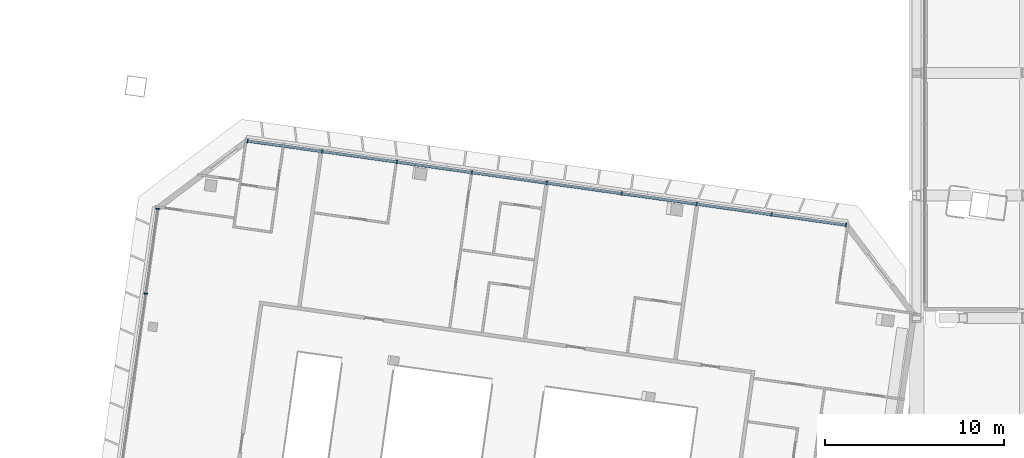
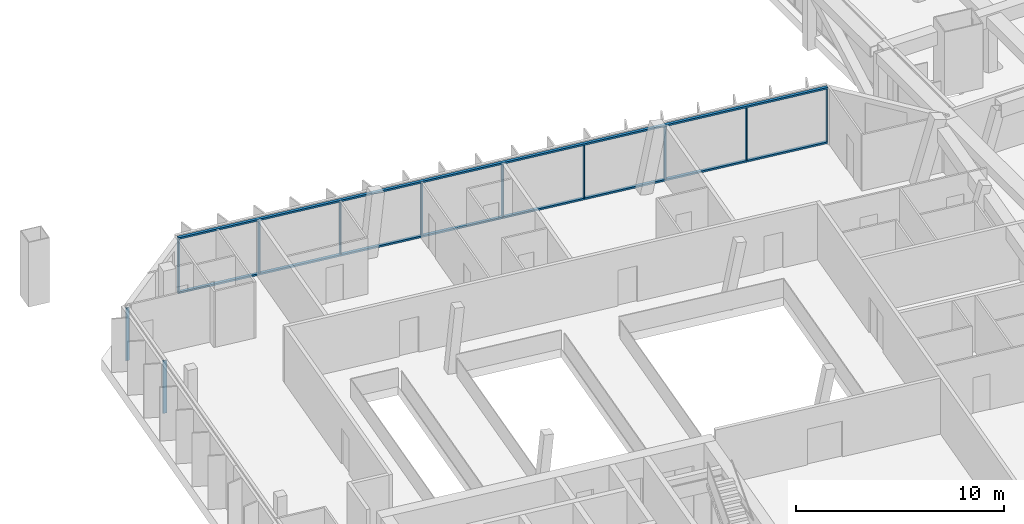
# One storey, part 5 of 25: 13 members, 2 elements without a shape of their own.
"""IFC4 building model written with IfcOpenShell, lengths in metres."""

from ifc_helpers import new_model, si_unit, direction, frame, origin, origin_2d, place, context, subcontext, project, spatial, rectangle, extrude, material, material_profile, profile_set, type_object, element, aggregate, save


model = new_model("IFC4")

# Units and contexts
model_context = context("Model", 3, precision=1e-05, world=origin(), true_north=direction((0.0, 1.0)))
body_context = subcontext(model_context, "Body", "Model", "MODEL_VIEW")
ifc_project = project(units=[si_unit("LENGTHUNIT", "METRE"), si_unit("AREAUNIT", "SQUARE_METRE"), si_unit("VOLUMEUNIT", "CUBIC_METRE"), si_unit("PLANEANGLEUNIT", "RADIAN"), si_unit("MASSUNIT", "GRAM", prefix="KILO")], contexts=[model_context])

# Site, building, storey
site_placement = place(None, origin())
site = spatial("IfcSite", under=ifc_project, at=site_placement, CompositionType="ELEMENT")
building_placement = place(site_placement, origin())
building = spatial("IfcBuilding", under=site, at=building_placement, Name="Mirante Cascada Hotel Towers", CompositionType="ELEMENT")
storey_placement = place(building_placement, frame((0.0, 0.0, 266.0)))
storey = spatial("IfcBuildingStorey", under=building, at=storey_placement, Name="L64", CompositionType="ELEMENT", Elevation=266.0)

# Curtain wall, members
ifc_material_1 = material(Name="Aluminium mullion and transom frame with clear laminated glass", Category="aluminium")
curtain_wall_type_1 = type_object("IfcCurtainWallType", Name="Ribbon curtain wall ECW1", PredefinedType="NOTDEFINED", material=ifc_material_1)
curtain_wall_1_placement = place(storey_placement, origin())
curtain_wall_1 = element("IfcCurtainWall", 1, at=curtain_wall_1_placement, inside=storey, type_object=curtain_wall_type_1, Name="Front ribbon wall T1 L64", PredefinedType="NOTDEFINED")
ifc_material_2 = material(Name="Anodised aluminium extrusion", Category="aluminium")
ifc_material_profile_1 = material_profile(ifc_material_2, rectangle(XDim=0.2, YDim=0.065, at=origin_2d()), Name="ECW1 MULLION 65x200")
ifc_profile_set_1 = profile_set([ifc_material_profile_1], Name="Anodised aluminium extrusion")
member_type_1 = type_object("IfcMemberType", Name="ECW1 mullion 65x200", PredefinedType="MULLION", material=ifc_profile_set_1)
member_1_placement = place(storey_placement, frame((-49.5639, 19.7848, 0.1), z_axis=(0.0, 0.0, 1.0), x_axis=(0.1391731, 0.9902681, 0.0)))
member_1 = element("IfcMember", 2, at=member_1_placement, type_object=member_type_1, Name="ECW1 mullion 1", PredefinedType="MULLION", context=body_context, shape_type="SweptSolid", body=[
    extrude(rectangle(XDim=0.2, YDim=0.065, at=origin_2d()), origin(), (0.0, 0.0, 1.0), 3.1),
])
member_2_placement = place(storey_placement, frame((-45.417, 19.202, 0.1), z_axis=(0.0, 0.0, 1.0), x_axis=(0.1391731, 0.9902681, 0.0)))
member_2 = element("IfcMember", 3, at=member_2_placement, type_object=member_type_1, Name="ECW1 mullion 2", PredefinedType="MULLION", context=body_context, shape_type="SweptSolid", body=[
    extrude(rectangle(XDim=0.2, YDim=0.065, at=origin_2d()), origin(), (0.0, 0.0, 1.0), 3.1),
])
member_3_placement = place(storey_placement, frame((-41.238, 18.6146, 0.1), z_axis=(0.0, 0.0, 1.0), x_axis=(0.1391731, 0.9902681, 0.0)))
member_3 = element("IfcMember", 4, at=member_3_placement, type_object=member_type_1, Name="ECW1 mullion 3", PredefinedType="MULLION", context=body_context, shape_type="SweptSolid", body=[
    extrude(rectangle(XDim=0.2, YDim=0.065, at=origin_2d()), origin(), (0.0, 0.0, 1.0), 3.1),
])
member_4_placement = place(storey_placement, frame((-37.0589, 18.0273, 0.1), z_axis=(0.0, 0.0, 1.0), x_axis=(0.1391731, 0.9902681, 0.0)))
member_4 = element("IfcMember", 5, at=member_4_placement, type_object=member_type_1, Name="ECW1 mullion 4", PredefinedType="MULLION", context=body_context, shape_type="SweptSolid", body=[
    extrude(rectangle(XDim=0.2, YDim=0.065, at=origin_2d()), origin(), (0.0, 0.0, 1.0), 3.1),
])
member_5_placement = place(storey_placement, frame((-32.8799, 17.44, 0.1), z_axis=(0.0, 0.0, 1.0), x_axis=(0.1391731, 0.9902681, 0.0)))
member_5 = element("IfcMember", 6, at=member_5_placement, type_object=member_type_1, Name="ECW1 mullion 5", PredefinedType="MULLION", context=body_context, shape_type="SweptSolid", body=[
    extrude(rectangle(XDim=0.2, YDim=0.065, at=origin_2d()), origin(), (0.0, 0.0, 1.0), 3.1),
])
member_6_placement = place(storey_placement, frame((-28.7008, 16.8527, 0.1), z_axis=(0.0, 0.0, 1.0), x_axis=(0.1391731, 0.9902681, 0.0)))
member_6 = element("IfcMember", 7, at=member_6_placement, type_object=member_type_1, Name="ECW1 mullion 6", PredefinedType="MULLION", context=body_context, shape_type="SweptSolid", body=[
    extrude(rectangle(XDim=0.2, YDim=0.065, at=origin_2d()), origin(), (0.0, 0.0, 1.0), 3.1),
])
member_7_placement = place(storey_placement, frame((-24.5218, 16.2653, 0.1), z_axis=(0.0, 0.0, 1.0), x_axis=(0.1391731, 0.9902681, 0.0)))
member_7 = element("IfcMember", 8, at=member_7_placement, type_object=member_type_1, Name="ECW1 mullion 7", PredefinedType="MULLION", context=body_context, shape_type="SweptSolid", body=[
    extrude(rectangle(XDim=0.2, YDim=0.065, at=origin_2d()), origin(), (0.0, 0.0, 1.0), 3.1),
])
member_8_placement = place(storey_placement, frame((-20.3427, 15.678, 0.1), z_axis=(0.0, 0.0, 1.0), x_axis=(0.1391731, 0.9902681, 0.0)))
member_8 = element("IfcMember", 9, at=member_8_placement, type_object=member_type_1, Name="ECW1 mullion 8", PredefinedType="MULLION", context=body_context, shape_type="SweptSolid", body=[
    extrude(rectangle(XDim=0.2, YDim=0.065, at=origin_2d()), origin(), (0.0, 0.0, 1.0), 3.1),
])
member_9_placement = place(storey_placement, frame((-16.1959, 15.0952, 0.1), z_axis=(0.0, 0.0, 1.0), x_axis=(0.1391731, 0.9902681, 0.0)))
member_9 = element("IfcMember", 10, at=member_9_placement, type_object=member_type_1, Name="ECW1 mullion 9", PredefinedType="MULLION", context=body_context, shape_type="SweptSolid", body=[
    extrude(rectangle(XDim=0.2, YDim=0.065, at=origin_2d()), origin(), (0.0, 0.0, 1.0), 3.1),
])
ifc_material_3 = material(Name="Anodised aluminium extrusion", Category="aluminium")
ifc_material_profile_2 = material_profile(ifc_material_3, rectangle(XDim=0.16, YDim=0.1, at=origin_2d()), Name="ECW1 TRANSOM 100x160")
ifc_profile_set_2 = profile_set([ifc_material_profile_2], Name="Anodised aluminium extrusion")
member_type_2 = type_object("IfcMemberType", Name="ECW1 transom 100x160", PredefinedType="USERDEFINED", material=ifc_profile_set_2)
member_10_placement = place(storey_placement, frame((-49.5961, 19.7893, 0.05), z_axis=(0.9902681, -0.1391726, 0.0), x_axis=(0.1391726, 0.9902681, 0.0)))
member_10 = element("IfcMember", 11, at=member_10_placement, type_object=member_type_2, Name="ECW1 sill transom", ObjectType="TRANSOM", PredefinedType="USERDEFINED", context=body_context, shape_type="SweptSolid", body=[
    extrude(rectangle(XDim=0.16, YDim=0.1, at=origin_2d()), origin(), (0.0, 0.0, 1.0), 33.761),
])
member_11_placement = place(storey_placement, frame((-49.5961, 19.7893, 3.25), z_axis=(0.9902681, -0.1391726, 0.0), x_axis=(0.1391726, 0.9902681, 0.0)))
member_11 = element("IfcMember", 12, at=member_11_placement, type_object=member_type_2, Name="ECW1 head transom", ObjectType="TRANSOM", PredefinedType="USERDEFINED", context=body_context, shape_type="SweptSolid", body=[
    extrude(rectangle(XDim=0.16, YDim=0.1, at=origin_2d()), origin(), (0.0, 0.0, 1.0), 33.761),
])
aggregate(curtain_wall_1, [member_10, member_11, member_1, member_2, member_3, member_4, member_5, member_6, member_7, member_8, member_9])

ifc_material_4 = material(Name="Aluminium mullion and transom frame with clear laminated glass", Category="aluminium")
curtain_wall_type_2 = type_object("IfcCurtainWallType", Name="End ribbon curtain wall ECW2", PredefinedType="NOTDEFINED", material=ifc_material_4)
curtain_wall_2_placement = place(storey_placement, origin())
curtain_wall_2 = element("IfcCurtainWall", 13, at=curtain_wall_2_placement, inside=storey, type_object=curtain_wall_type_2, Name="Outer end wall T1 L64", PredefinedType="NOTDEFINED")
ifc_material_5 = material(Name="Anodised aluminium extrusion", Category="aluminium")
ifc_material_profile_3 = material_profile(ifc_material_5, rectangle(XDim=0.2, YDim=0.065, at=origin_2d()), Name="ECW2 MULLION 65x200")
ifc_profile_set_3 = profile_set([ifc_material_profile_3], Name="Anodised aluminium extrusion")
member_type_3 = type_object("IfcMemberType", Name="ECW2 mullion 65x200", PredefinedType="MULLION", material=ifc_profile_set_3)
member_12_placement = place(storey_placement, frame((-55.2491, 11.2684, 0.1), z_axis=(0.0, 0.0, 1.0), x_axis=(-0.9902681, 0.1391731, 0.0)))
member_12 = element("IfcMember", 14, at=member_12_placement, type_object=member_type_3, Name="ECW2 mullion 6", PredefinedType="MULLION", context=body_context, shape_type="SweptSolid", body=[
    extrude(rectangle(XDim=0.2, YDim=0.065, at=origin_2d()), origin(), (0.0, 0.0, 1.0), 3.1),
])
member_13_placement = place(storey_placement, frame((-54.5839, 16.002, 0.1), z_axis=(0.0, 0.0, 1.0), x_axis=(-0.9902681, 0.1391731, 0.0)))
member_13 = element("IfcMember", 15, at=member_13_placement, type_object=member_type_3, Name="ECW2 mullion 7", PredefinedType="MULLION", context=body_context, shape_type="SweptSolid", body=[
    extrude(rectangle(XDim=0.2, YDim=0.065, at=origin_2d()), origin(), (0.0, 0.0, 1.0), 3.1),
])
aggregate(curtain_wall_2, [member_12, member_13])

save(model, "model.ifc")
